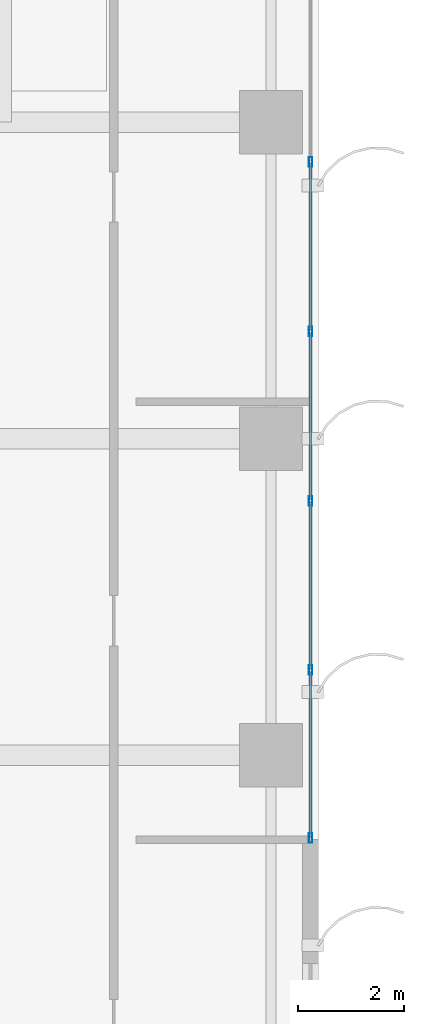
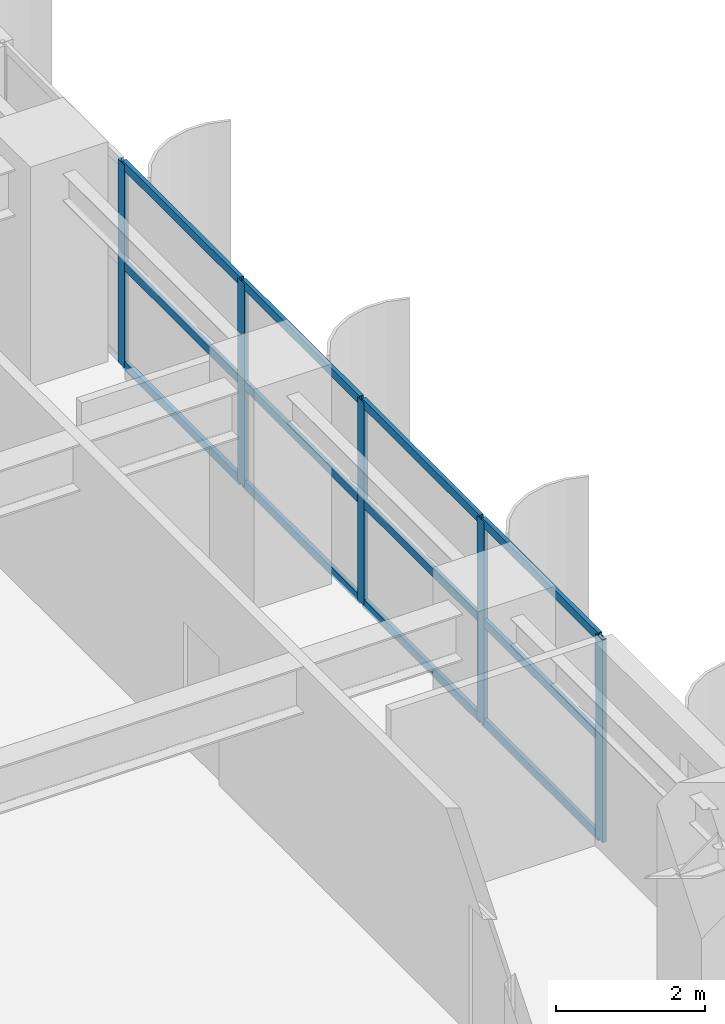
# One storey, part 4 of 18: 17 members, 1 element without a shape of its own.
"""IFC4 building model written with IfcOpenShell, lengths in metres."""

from ifc_helpers import new_model, si_unit, direction, frame, origin, origin_2d, place, context, subcontext, project, spatial, hollow_rectangle, extrude, source, transform, mapped, material, layer, layer_set, material_profile, profile_set, type_object, element, aggregate, save


model = new_model("IFC4")

# Units and contexts
model_context = context("Model", 3, precision=1e-05, world=origin(), true_north=direction((0.0, 1.0)))
body_context = subcontext(model_context, "Body", "Model", "MODEL_VIEW")
ifc_project = project(units=[si_unit("LENGTHUNIT", "METRE"), si_unit("AREAUNIT", "SQUARE_METRE"), si_unit("VOLUMEUNIT", "CUBIC_METRE"), si_unit("PLANEANGLEUNIT", "RADIAN"), si_unit("MASSUNIT", "GRAM", prefix="KILO")], contexts=[model_context])

# Site, building, storey
site_placement = place(None, origin())
site = spatial("IfcSite", under=ifc_project, at=site_placement, CompositionType="ELEMENT")
building_placement = place(site_placement, origin())
building = spatial("IfcBuilding", under=site, at=building_placement, Name="Khoralis Quay Care Tower", CompositionType="ELEMENT")
storey_placement = place(building_placement, frame((0.0, 0.0, 47.699951171875)))
storey = spatial("IfcBuildingStorey", under=building, at=storey_placement, Name="L12", CompositionType="ELEMENT", Elevation=47.699951171875)

# Curtain wall, members
ifc_material = material(Name="Pale anodised aluminium", Category="aluminium")
ifc_layer = layer(ifc_material, 0.179931640625)
ifc_layer_set = layer_set([ifc_layer], Name="Pale anodised aluminium")
curtain_wall_type = type_object("IfcCurtainWallType", Name="CW-SYS-Z1", PredefinedType="NOTDEFINED", material=ifc_layer_set)
curtain_wall_placement = place(storey_placement, origin())
curtain_wall = element("IfcCurtainWall", 1, at=curtain_wall_placement, inside=storey, type_object=curtain_wall_type, Name="L12 Unitised Curtain Wall CW-L12-P1-E5", PredefinedType="NOTDEFINED")
ifc_material_profile_1 = material_profile(ifc_material, hollow_rectangle(XDim=0.06494140625, YDim=0.179931640625, WallThickness=0.00390625, at=origin_2d()), Name="Pale anodised aluminium")
ifc_profile_set_1 = profile_set([ifc_material_profile_1], Name="Pale anodised aluminium")
member_type_1 = type_object("IfcMemberType", Name="CW-MUL-180", PredefinedType="MULLION", material=ifc_profile_set_1)
shared_shape_1 = source(origin(), body_context, "Body", "SweptSolid", [
    extrude(hollow_rectangle(XDim=0.06494140625, YDim=0.179931640625, WallThickness=0.00390625, at=origin_2d()), origin(), (0.0, 0.0, 1.0), 3.320068359375),
])
member_1_placement = place(storey_placement, frame((47.85009765625, 16.429931640625, 0.0), z_axis=(0.0, 0.0, 1.0), x_axis=(-1.0, 0.0, 0.0)))
member_1 = element("IfcMember", 2, at=member_1_placement, type_object=member_type_1, Name="CW1 mullion 1", PredefinedType="MULLION", context=body_context, shape_type="MappedRepresentation", body=[
    mapped(shared_shape_1, transform((0.0, 0.0, 0.0), scale=1.0)),
])
member_2_placement = place(storey_placement, frame((47.85009765625, 19.612060546875, 0.0), z_axis=(0.0, 0.0, 1.0), x_axis=(-1.0, 0.0, 0.0)))
member_2 = element("IfcMember", 3, at=member_2_placement, type_object=member_type_1, Name="CW1 mullion 2", PredefinedType="MULLION", context=body_context, shape_type="MappedRepresentation", body=[
    mapped(shared_shape_1, transform((0.0, 0.0, 0.0), scale=1.0)),
])
member_3_placement = place(storey_placement, frame((47.85009765625, 22.823974609375, 0.0), z_axis=(0.0, 0.0, 1.0), x_axis=(-1.0, 0.0, 0.0)))
member_3 = element("IfcMember", 4, at=member_3_placement, type_object=member_type_1, Name="CW1 mullion 3", PredefinedType="MULLION", context=body_context, shape_type="MappedRepresentation", body=[
    mapped(shared_shape_1, transform((0.0, 0.0, 0.0), scale=1.0)),
])
member_4_placement = place(storey_placement, frame((47.85009765625, 26.035888671875, 0.0), z_axis=(0.0, 0.0, 1.0), x_axis=(-1.0, 0.0, 0.0)))
member_4 = element("IfcMember", 5, at=member_4_placement, type_object=member_type_1, Name="CW1 mullion 4", PredefinedType="MULLION", context=body_context, shape_type="MappedRepresentation", body=[
    mapped(shared_shape_1, transform((0.0, 0.0, 0.0), scale=1.0)),
])
member_5_placement = place(storey_placement, frame((47.85009765625, 29.248046875, 0.0), z_axis=(0.0, 0.0, 1.0), x_axis=(-1.0, 0.0, 0.0)))
member_5 = element("IfcMember", 6, at=member_5_placement, type_object=member_type_1, Name="CW1 mullion 5", PredefinedType="MULLION", context=body_context, shape_type="MappedRepresentation", body=[
    mapped(shared_shape_1, transform((0.0, 0.0, 0.0), scale=1.0)),
])
ifc_material_profile_2 = material_profile(ifc_material, hollow_rectangle(XDim=0.06005859375, YDim=0.139892578125, WallThickness=0.00390625, at=origin_2d()), Name="Pale anodised aluminium")
ifc_profile_set_2 = profile_set([ifc_material_profile_2], Name="Pale anodised aluminium")
member_type_2 = type_object("IfcMemberType", Name="CW-TRN-140", PredefinedType="USERDEFINED", material=ifc_profile_set_2)
shared_shape_2 = source(origin(), body_context, "Body", "SweptSolid", [
    extrude(hollow_rectangle(XDim=0.06005859375, YDim=0.139892578125, WallThickness=0.00390625, at=origin_2d()), origin(), (0.0, 0.0, 1.0), 3.1220703125),
])
member_6_placement = place(storey_placement, frame((47.85009765625, 16.4599609375, 0.030029296875), z_axis=(0.0, 1.0, 0.0), x_axis=(-1.0, 0.0, 0.0)))
member_6 = element("IfcMember", 7, at=member_6_placement, type_object=member_type_2, Name="CW1 transom 1.1", ObjectType="TRANSOM", PredefinedType="USERDEFINED", context=body_context, shape_type="MappedRepresentation", body=[
    mapped(shared_shape_2, transform((0.0, 0.0, 0.0), scale=1.0)),
])
member_7_placement = place(storey_placement, frame((47.85009765625, 16.4599609375, 1.66015625), z_axis=(0.0, 1.0, 0.0), x_axis=(-1.0, 0.0, 0.0)))
member_7 = element("IfcMember", 8, at=member_7_placement, type_object=member_type_2, Name="CW1 transom 1.2", ObjectType="TRANSOM", PredefinedType="USERDEFINED", context=body_context, shape_type="MappedRepresentation", body=[
    mapped(shared_shape_2, transform((0.0, 0.0, 0.0), scale=1.0)),
])
member_8_placement = place(storey_placement, frame((47.85009765625, 16.4599609375, 3.2900390625), z_axis=(0.0, 1.0, 0.0), x_axis=(-1.0, 0.0, 0.0)))
member_8 = element("IfcMember", 9, at=member_8_placement, type_object=member_type_2, Name="CW1 transom 1.3", ObjectType="TRANSOM", PredefinedType="USERDEFINED", context=body_context, shape_type="MappedRepresentation", body=[
    mapped(shared_shape_2, transform((0.0, 0.0, 0.0), scale=1.0)),
])
shared_shape_3 = source(origin(), body_context, "Body", "SweptSolid", [
    extrude(hollow_rectangle(XDim=0.06005859375, YDim=0.139892578125, WallThickness=0.00390625, at=origin_2d()), origin(), (0.0, 0.0, 1.0), 3.15185546875),
])
member_9_placement = place(storey_placement, frame((47.85009765625, 19.64208984375, 0.030029296875), z_axis=(0.0, 1.0, 0.0), x_axis=(-1.0, 0.0, 0.0)))
member_9 = element("IfcMember", 10, at=member_9_placement, type_object=member_type_2, Name="CW1 transom 2.1", ObjectType="TRANSOM", PredefinedType="USERDEFINED", context=body_context, shape_type="MappedRepresentation", body=[
    mapped(shared_shape_3, transform((0.0, 0.0, 0.0), scale=1.0)),
])
member_10_placement = place(storey_placement, frame((47.85009765625, 19.64208984375, 1.66015625), z_axis=(0.0, 1.0, 0.0), x_axis=(-1.0, 0.0, 0.0)))
member_10 = element("IfcMember", 11, at=member_10_placement, type_object=member_type_2, Name="CW1 transom 2.2", ObjectType="TRANSOM", PredefinedType="USERDEFINED", context=body_context, shape_type="MappedRepresentation", body=[
    mapped(shared_shape_3, transform((0.0, 0.0, 0.0), scale=1.0)),
])
member_11_placement = place(storey_placement, frame((47.85009765625, 19.64208984375, 3.2900390625), z_axis=(0.0, 1.0, 0.0), x_axis=(-1.0, 0.0, 0.0)))
member_11 = element("IfcMember", 12, at=member_11_placement, type_object=member_type_2, Name="CW1 transom 2.3", ObjectType="TRANSOM", PredefinedType="USERDEFINED", context=body_context, shape_type="MappedRepresentation", body=[
    mapped(shared_shape_3, transform((0.0, 0.0, 0.0), scale=1.0)),
])
shared_shape_4 = source(origin(), body_context, "Body", "SweptSolid", [
    extrude(hollow_rectangle(XDim=0.06005859375, YDim=0.139892578125, WallThickness=0.00390625, at=origin_2d()), origin(), (0.0, 0.0, 1.0), 3.152099609375),
])
member_12_placement = place(storey_placement, frame((47.85009765625, 22.85400390625, 0.030029296875), z_axis=(0.0, 1.0, 0.0), x_axis=(-1.0, 0.0, 0.0)))
member_12 = element("IfcMember", 13, at=member_12_placement, type_object=member_type_2, Name="CW1 transom 3.1", ObjectType="TRANSOM", PredefinedType="USERDEFINED", context=body_context, shape_type="MappedRepresentation", body=[
    mapped(shared_shape_4, transform((0.0, 0.0, 0.0), scale=1.0)),
])
member_13_placement = place(storey_placement, frame((47.85009765625, 22.85400390625, 1.66015625), z_axis=(0.0, 1.0, 0.0), x_axis=(-1.0, 0.0, 0.0)))
member_13 = element("IfcMember", 14, at=member_13_placement, type_object=member_type_2, Name="CW1 transom 3.2", ObjectType="TRANSOM", PredefinedType="USERDEFINED", context=body_context, shape_type="MappedRepresentation", body=[
    mapped(shared_shape_4, transform((0.0, 0.0, 0.0), scale=1.0)),
])
member_14_placement = place(storey_placement, frame((47.85009765625, 22.85400390625, 3.2900390625), z_axis=(0.0, 1.0, 0.0), x_axis=(-1.0, 0.0, 0.0)))
member_14 = element("IfcMember", 15, at=member_14_placement, type_object=member_type_2, Name="CW1 transom 3.3", ObjectType="TRANSOM", PredefinedType="USERDEFINED", context=body_context, shape_type="MappedRepresentation", body=[
    mapped(shared_shape_4, transform((0.0, 0.0, 0.0), scale=1.0)),
])
member_15_placement = place(storey_placement, frame((47.85009765625, 26.06591796875, 0.030029296875), z_axis=(0.0, 1.0, 0.0), x_axis=(-1.0, 0.0, 0.0)))
member_15 = element("IfcMember", 16, at=member_15_placement, type_object=member_type_2, Name="CW1 transom 4.1", ObjectType="TRANSOM", PredefinedType="USERDEFINED", context=body_context, shape_type="MappedRepresentation", body=[
    mapped(shared_shape_4, transform((0.0, 0.0, 0.0), scale=1.0)),
])
member_16_placement = place(storey_placement, frame((47.85009765625, 26.06591796875, 1.66015625), z_axis=(0.0, 1.0, 0.0), x_axis=(-1.0, 0.0, 0.0)))
member_16 = element("IfcMember", 17, at=member_16_placement, type_object=member_type_2, Name="CW1 transom 4.2", ObjectType="TRANSOM", PredefinedType="USERDEFINED", context=body_context, shape_type="MappedRepresentation", body=[
    mapped(shared_shape_4, transform((0.0, 0.0, 0.0), scale=1.0)),
])
member_17_placement = place(storey_placement, frame((47.85009765625, 26.06591796875, 3.2900390625), z_axis=(0.0, 1.0, 0.0), x_axis=(-1.0, 0.0, 0.0)))
member_17 = element("IfcMember", 18, at=member_17_placement, type_object=member_type_2, Name="CW1 transom 4.3", ObjectType="TRANSOM", PredefinedType="USERDEFINED", context=body_context, shape_type="MappedRepresentation", body=[
    mapped(shared_shape_4, transform((0.0, 0.0, 0.0), scale=1.0)),
])
aggregate(curtain_wall, [member_1, member_2, member_3, member_4, member_5, member_6, member_7, member_8, member_9, member_10, member_11, member_12, member_13, member_14, member_15, member_16, member_17])

save(model, "model.ifc")
